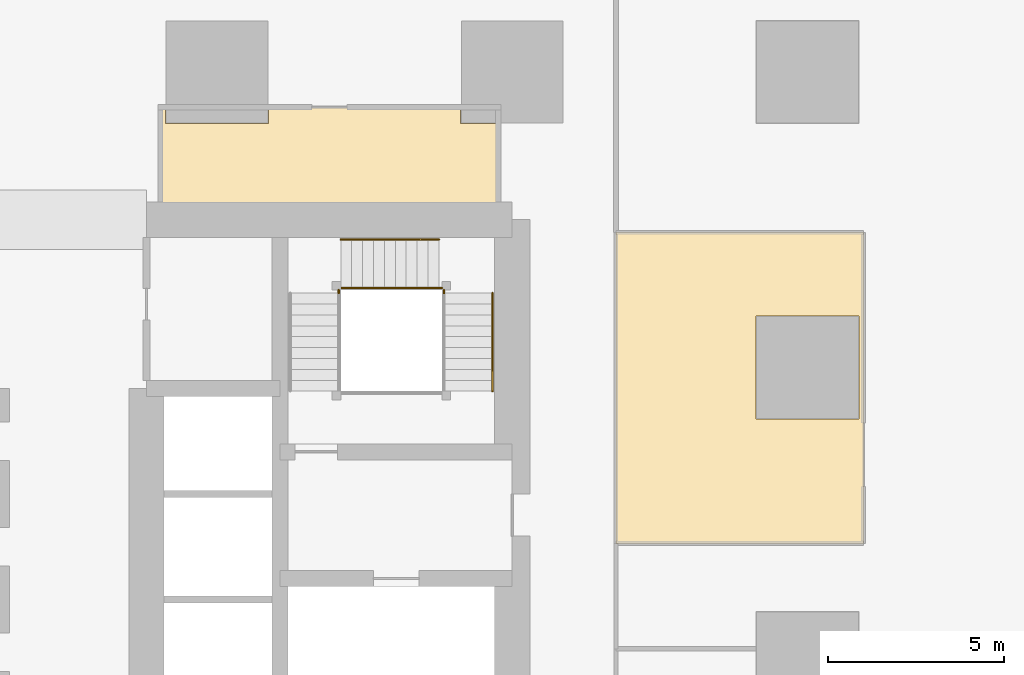
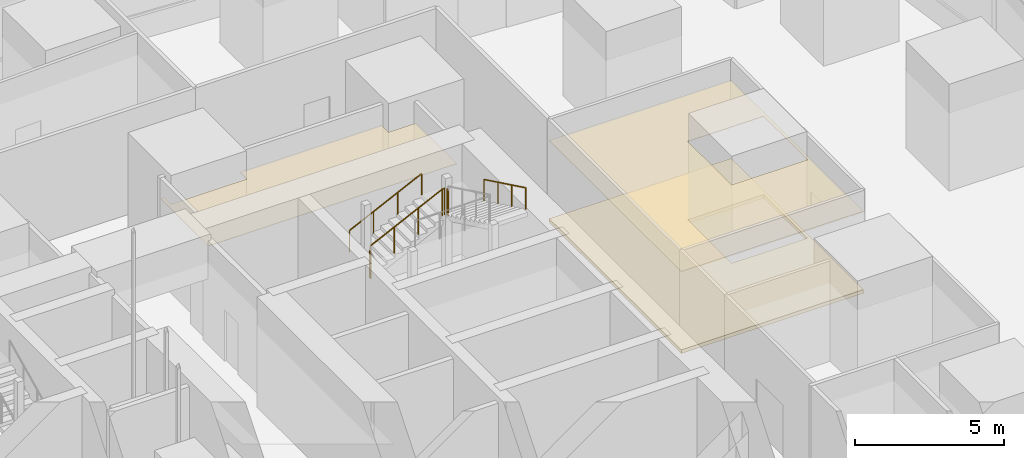
# One storey, part 30 of 44: 6 railings, 3 coverings.
"""IFC4 building model written with IfcOpenShell, lengths in metres."""

from ifc_helpers import new_model, si_unit, direction, frame, origin, origin_2d, place, context, subcontext, project, spatial, polyline, circle, outline, extrude, material, layer, layer_set, type_object, element, save


model = new_model("IFC4")

# Units and contexts
model_context = context("Model", 3, precision=1e-05, world=origin(), true_north=direction((0.0, 1.0)))
body_context = subcontext(model_context, "Body", "Model", "MODEL_VIEW")
ifc_project = project(units=[si_unit("LENGTHUNIT", "METRE"), si_unit("AREAUNIT", "SQUARE_METRE"), si_unit("VOLUMEUNIT", "CUBIC_METRE"), si_unit("PLANEANGLEUNIT", "RADIAN"), si_unit("MASSUNIT", "GRAM", prefix="KILO")], contexts=[model_context])

# Site, building, storey
site_placement = place(None, origin())
site = spatial("IfcSite", under=ifc_project, at=site_placement, CompositionType="ELEMENT")
building_placement = place(site_placement, origin())
building = spatial("IfcBuilding", under=site, at=building_placement, Name="Rekha Terrace Tower", CompositionType="ELEMENT")
storey_placement = place(building_placement, frame((0.0, 0.0, 90.800048828125)))
storey = spatial("IfcBuildingStorey", under=building, at=storey_placement, Name="L22", CompositionType="ELEMENT", Elevation=90.800048828125)

# Coverings
ifc_material_1 = material(Name="Mineral fibre tile in exposed grid", Category="finish")
ifc_layer_1 = layer(ifc_material_1, 0.02001953125)
ifc_layer_set_1 = layer_set([ifc_layer_1], Name="Mineral fibre tile in exposed grid")
covering_type_1 = type_object("IfcCoveringType", Name="CL1 600x1200 office grid ceiling", PredefinedType="CEILING", material=ifc_layer_set_1)
covering_1_placement = place(storey_placement, frame((0.0, 0.0, 3.329833984375)))
element("IfcCovering", 1, at=covering_1_placement, inside=storey, type_object=covering_type_1, Name="Ceiling L22-09", PredefinedType="CEILING", context=body_context, shape_type="SweptSolid", body=[
    extrude(outline(polyline([(53.35009765625, 37.0), (60.385986328125, 37.0), (60.385986328125, 45.8359375), (53.35009765625, 45.8359375), (53.35009765625, 37.0)]), holes=[polyline([(60.264892578125, 40.534912109375), (57.3349609375, 40.534912109375), (57.3349609375, 43.465087890625), (60.264892578125, 43.465087890625), (60.264892578125, 40.534912109375)])]), origin(), (0.0, 0.0, 1.0), 0.02001953125),
])
ifc_material_2 = material(Name="Fibre cement board", Category="finish")
ifc_layer_2 = layer(ifc_material_2, 0.014892578125)
ifc_layer_set_2 = layer_set([ifc_layer_2], Name="Fibre cement board")
covering_type_2 = type_object("IfcCoveringType", Name="CL2 moisture-resistant board ceiling", PredefinedType="CEILING", material=ifc_layer_set_2)
covering_2_placement = place(storey_placement, frame((0.0, 0.0, 3.3349609375)))
element("IfcCovering", 2, at=covering_2_placement, inside=storey, type_object=covering_type_2, Name="Ceiling L22-WCF", PredefinedType="CEILING", context=body_context, shape_type="SweptSolid", body=[
    extrude(outline(polyline([(40.534912109375, 49.39990234375), (40.39990234375, 49.39990234375), (40.39990234375, 46.199951171875), (50.0, 46.199951171875), (50.0, 48.93505859375), (48.93505859375, 48.93505859375), (48.93505859375, 49.39990234375), (43.465087890625, 49.39990234375), (43.465087890625, 48.93505859375), (40.534912109375, 48.93505859375), (40.534912109375, 49.39990234375)])), origin(), (0.0, 0.0, 1.0), 0.014892578125),
])

# Railings
ifc_material_3 = material(Name="Stainless steel balustrade", Category="steel")
railing_type_1 = type_object("IfcRailingType", Name="GR1 1100 stair guard", PredefinedType="GUARDRAIL", material=ifc_material_3)
railing_1_placement = place(storey_placement, frame((45.52490234375, 44.260009765625, 1.64990234375)))
element("IfcRailing", 3, at=railing_1_placement, inside=storey, type_object=railing_type_1, Name="Guard ST2 L22 flight 2", PredefinedType="GUARDRAIL", context=body_context, shape_type="SweptSolid", body=[
    extrude(circle(Radius=0.02392578125, at=origin_2d()), frame((0.0, 0.0, 1.076171875), z_axis=(0.90014928908, 0.0, 0.43558151633), x_axis=(0.0, 1.0, 0.0)), (0.0, 0.0, 1.0), 3.099609375),
    extrude(circle(Radius=0.02099609375, at=origin_2d()), origin(), (0.0, 0.0, 1.0), 1.052001953125),
    extrude(circle(Radius=0.02099609375, at=origin_2d()), frame((0.929931640625, 0.0, 0.449951171875)), (0.0, 0.0, 1.0), 1.052001953125),
    extrude(circle(Radius=0.02099609375, at=origin_2d()), frame((1.860107421875, 0.0, 0.900146484375)), (0.0, 0.0, 1.0), 1.052001953125),
    extrude(circle(Radius=0.02099609375, at=origin_2d()), frame((2.7900390625, 0.0, 1.35009765625)), (0.0, 0.0, 1.0), 1.052001953125),
])
railing_2_placement = place(storey_placement, frame((45.465087890625, 44.114990234375, 1.5)))
element("IfcRailing", 4, at=railing_2_placement, inside=storey, type_object=railing_type_1, Name="Guard ST2 L22 landing 1", PredefinedType="GUARDRAIL", context=body_context, shape_type="SweptSolid", body=[
    extrude(circle(Radius=0.02392578125, at=origin_2d()), frame((0.0, 0.0, 1.076171875), z_axis=(0.0, 1.0, 0.0), x_axis=(-1.0, 0.0, 0.0)), (0.0, 0.0, 1.0), 0.0849609375),
    extrude(circle(Radius=0.02099609375, at=origin_2d()), origin(), (0.0, 0.0, 1.0), 1.052001953125),
    extrude(circle(Radius=0.02099609375, at=origin_2d()), frame((0.0, 0.0849609375, 0.0)), (0.0, 0.0, 1.0), 1.052001953125),
])
railing_3_placement = place(storey_placement, frame((48.31494140625, 44.260009765625, 3.0)))
element("IfcRailing", 5, at=railing_3_placement, inside=storey, type_object=railing_type_1, Name="Guard ST2 L22 landing 2", PredefinedType="GUARDRAIL", context=body_context, shape_type="SweptSolid", body=[
    extrude(circle(Radius=0.02392578125, at=origin_2d()), frame((0.0, 0.0, 1.076171875), z_axis=(1.0, 0.0, 0.0), x_axis=(0.0, 1.0, 0.0)), (0.0, 0.0, 1.0), 0.0849609375),
    extrude(circle(Radius=0.02099609375, at=origin_2d()), origin(), (0.0, 0.0, 1.0), 1.052001953125),
    extrude(circle(Radius=0.02099609375, at=origin_2d()), frame((0.0849609375, 0.0, 0.0)), (0.0, 0.0, 1.0), 1.052001953125),
])
railing_4_placement = place(storey_placement, frame((48.4599609375, 44.114990234375, 3.0)))
element("IfcRailing", 6, at=railing_4_placement, inside=storey, type_object=railing_type_1, Name="Guard ST2 L22 landing 3", PredefinedType="GUARDRAIL", context=body_context, shape_type="SweptSolid", body=[
    extrude(circle(Radius=0.02392578125, at=origin_2d()), frame((0.0, 0.0, 1.076171875), z_axis=(0.0, 1.0, 0.0), x_axis=(-1.0, 0.0, 0.0)), (0.0, 0.0, 1.0), 0.0849609375),
    extrude(circle(Radius=0.02099609375, at=origin_2d()), origin(), (0.0, 0.0, 1.0), 1.052001953125),
    extrude(circle(Radius=0.02099609375, at=origin_2d()), frame((0.0, 0.0849609375, 0.0)), (0.0, 0.0, 1.0), 1.052001953125),
])
ifc_material_4 = material(Name="Stainless steel tube", Category="steel")
railing_type_2 = type_object("IfcRailingType", Name="HR1 900 stair handrail", PredefinedType="HANDRAIL", material=ifc_material_4)
railing_5_placement = place(storey_placement, frame((45.52490234375, 45.639892578125, 1.64990234375)))
element("IfcRailing", 7, at=railing_5_placement, inside=storey, type_object=railing_type_2, Name="Handrail ST2 L22 flight 2", PredefinedType="HANDRAIL", context=body_context, shape_type="SweptSolid", body=[
    extrude(circle(Radius=0.02392578125, at=origin_2d()), frame((0.0, 0.0, 0.8759765625), z_axis=(0.90014928908, 0.0, 0.43558151633), x_axis=(0.0, 1.0, 0.0)), (0.0, 0.0, 1.0), 3.099609375),
    extrude(circle(Radius=0.02099609375, at=origin_2d()), origin(), (0.0, 0.0, 1.0), 0.851806640625),
    extrude(circle(Radius=0.02099609375, at=origin_2d()), frame((0.929931640625, 0.0, 0.449951171875)), (0.0, 0.0, 1.0), 0.851806640625),
    extrude(circle(Radius=0.02099609375, at=origin_2d()), frame((1.860107421875, 0.0, 0.900146484375)), (0.0, 0.0, 1.0), 0.851806640625),
    extrude(circle(Radius=0.02099609375, at=origin_2d()), frame((2.7900390625, 0.0, 1.35009765625)), (0.0, 0.0, 1.0), 0.851806640625),
])
railing_6_placement = place(storey_placement, frame((49.840087890625, 44.114990234375, 3.14990234375)))
element("IfcRailing", 8, at=railing_6_placement, inside=storey, type_object=railing_type_2, Name="Handrail ST2 L22 flight 3", PredefinedType="HANDRAIL", context=body_context, shape_type="SweptSolid", body=[
    extrude(circle(Radius=0.02392578125, at=origin_2d()), frame((0.0, 0.0, 0.8759765625), z_axis=(0.0, -0.90014928908, 0.43558151633), x_axis=(1.0, 0.0, 0.0)), (0.0, 0.0, 1.0), 3.099609375),
    extrude(circle(Radius=0.02099609375, at=origin_2d()), origin(), (0.0, 0.0, 1.0), 0.851806640625),
    extrude(circle(Radius=0.02099609375, at=origin_2d()), frame((0.0, -0.929931640625, 0.449951171875)), (0.0, 0.0, 1.0), 0.851806640625),
    extrude(circle(Radius=0.02099609375, at=origin_2d()), frame((0.0, -1.860107421875, 0.900146484375)), (0.0, 0.0, 1.0), 0.851806640625),
    extrude(circle(Radius=0.02099609375, at=origin_2d()), frame((0.0, -2.7900390625, 1.35009765625)), (0.0, 0.0, 1.0), 0.851806640625),
])

# Covering
ifc_material_5 = material(Name="Calcium sulphate panels on steel pedestals", Category="steel")
ifc_layer_3 = layer(ifc_material_5, 0.14990234375)
ifc_layer_set_3 = layer_set([ifc_layer_3], Name="Calcium sulphate panels on steel pedestals")
covering_type_3 = type_object("IfcCoveringType", Name="RF1 150 raised access floor", PredefinedType="FLOORING", material=ifc_layer_set_3)
covering_3_placement = place(storey_placement, origin())
element("IfcCovering", 9, at=covering_3_placement, inside=storey, type_object=covering_type_3, Name="Raised floor L22-09", PredefinedType="FLOORING", context=body_context, shape_type="SweptSolid", body=[
    extrude(outline(polyline([(53.35009765625, 37.0), (60.385986328125, 37.0), (60.385986328125, 45.8359375), (53.35009765625, 45.8359375), (53.35009765625, 37.0)]), holes=[polyline([(60.264892578125, 40.534912109375), (57.3349609375, 40.534912109375), (57.3349609375, 43.465087890625), (60.264892578125, 43.465087890625), (60.264892578125, 40.534912109375)])]), origin(), (0.0, 0.0, 1.0), 0.14990234375),
])

save(model, "model.ifc")
